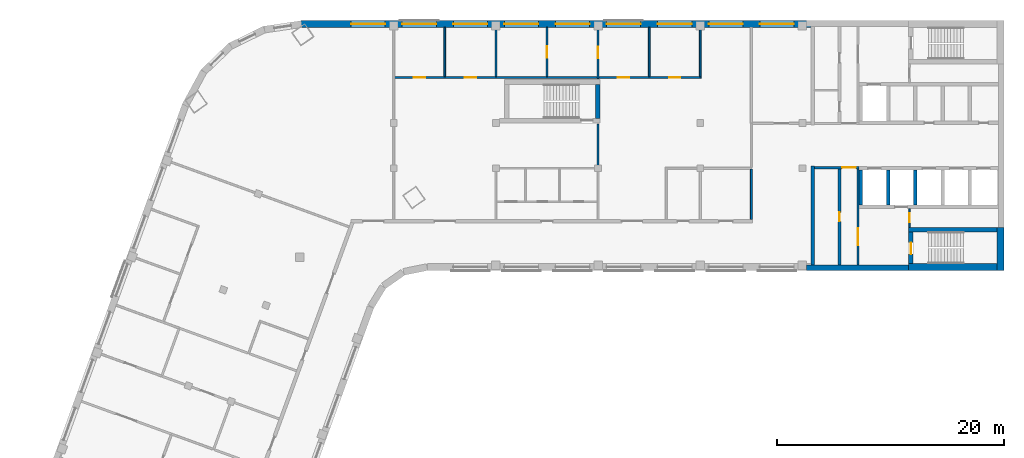
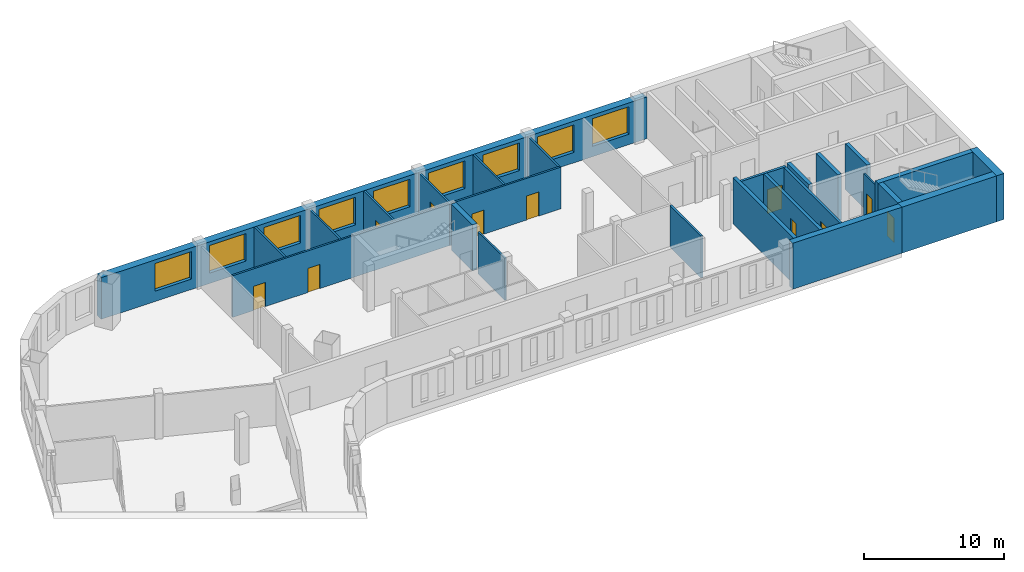
# One storey, part 5 of 8: 24 walls, 11 doors, 9 windows, 20 openings.
"""IFC4 building model written with IfcOpenShell, lengths in metres."""

from ifc_helpers import new_model, si_unit, direction, frame, frame_2d, origin, place, context, subcontext, project, spatial, rectangle, extrude, material, layer, layer_set, type_object, element, fill, save


model = new_model("IFC4")

# Units and contexts
model_context = context("Model", 3, precision=1e-05, world=origin(), true_north=direction((0.0, 1.0)))
body_context = subcontext(model_context, "Body", "Model", "MODEL_VIEW")
ifc_project = project(units=[si_unit("LENGTHUNIT", "METRE"), si_unit("AREAUNIT", "SQUARE_METRE"), si_unit("VOLUMEUNIT", "CUBIC_METRE"), si_unit("PLANEANGLEUNIT", "RADIAN"), si_unit("MASSUNIT", "GRAM", prefix="KILO")], contexts=[model_context])

# Site, building, storey
site_placement = place(None, origin())
site = spatial("IfcSite", under=ifc_project, at=site_placement, CompositionType="ELEMENT")
building_placement = place(site_placement, origin())
building = spatial("IfcBuilding", under=site, at=building_placement, Name="Skarvind Civic Tower", CompositionType="ELEMENT")
storey_placement = place(building_placement, frame((0.0, 0.0, 208.0)))
storey = spatial("IfcBuildingStorey", under=building, at=storey_placement, Name="L49", CompositionType="ELEMENT", Elevation=208.0)

# Wall
ifc_material_1 = material(Name="Acoustic gypsum board on steel studs", Category="steel")
ifc_layer_1 = layer(ifc_material_1, 0.175048828125)
ifc_layer_set_1 = layer_set([ifc_layer_1], Name="ACOUSTIC MEETING-ROOM PARTITION 175")
wall_type_1 = type_object("IfcWallType", Name="ACOUSTIC MEETING-ROOM PARTITION 175", PredefinedType="PARTITIONING", material=ifc_layer_set_1)
wall_1_placement = place(storey_placement, frame((85.75, 121.5, 0.0), z_axis=(0.0, 0.0, 1.0), x_axis=(0.0, 1.0, 0.0)))
element("IfcWall", 1, at=wall_1_placement, inside=storey, type_object=wall_type_1, Name="Partition 49.040", PredefinedType="PARTITIONING", context=body_context, shape_type="SweptSolid", body=[
    extrude(rectangle(XDim=4.427978515625, YDim=0.175048828125, at=frame_2d((2.2138671875, 0.0))), origin(), (0.0, 0.0, 1.0), 3.625),
])

# Wall, opening, door
ifc_material_2 = material(Name="Fire-rated masonry partition", Category="masonry")
ifc_layer_2 = layer(ifc_material_2, 0.199951171875)
ifc_layer_set_2 = layer_set([ifc_layer_2], Name="Core enclosure wall 200")
wall_type_2 = type_object("IfcWallType", Name="Core enclosure wall 200", PredefinedType="PARTITIONING", material=ifc_layer_set_2)
wall_2_placement = place(storey_placement, frame((95.25, 126.050048828125, 0.0), z_axis=(0.0, 0.0, 1.0), x_axis=(-1.0, 0.0, 0.0)))
wall_2 = element("IfcWall", 2, at=wall_2_placement, inside=storey, type_object=wall_type_2, Name="Core wall C1", PredefinedType="PARTITIONING", context=body_context, shape_type="SweptSolid", body=[
    extrude(rectangle(XDim=3.949951171875, YDim=0.199951171875, at=frame_2d((1.97509765625, 0.0))), origin(), (0.0, 0.0, 1.0), 3.625),
])
opening_1_placement = place(wall_2_placement, frame((0.300048828125, 0.0, 0.0)))
opening_1 = element("IfcOpeningElement", 3, at=opening_1_placement, cuts=wall_2, Name="Opening D-L49-C1-07", PredefinedType="OPENING", context=body_context, shape_type="SweptSolid", body=[
    extrude(rectangle(XDim=1.199951171875, YDim=2.10009765625, at=frame_2d((0.60009765625, 1.050048828125))), frame((0.0, 0.10986328125, 0.0), z_axis=(0.0, -1.0, 0.0), x_axis=(1.0, 0.0, 0.0)), (0.0, 0.0, 1.0), 0.219970703125),
])
ifc_material_3 = material(Name="Fire-rated steel door", Category="steel")
door_type_1 = type_object("IfcDoorType", Name="Core lobby door 1200", OperationType="NOTDEFINED", PredefinedType="DOOR", material=ifc_material_3)
door_1_placement = place(opening_1_placement, origin())
door_1 = element("IfcDoor", 4, at=door_1_placement, inside=storey, type_object=door_type_1, Name="Fire door", OperationType="DOUBLE_DOOR_SINGLE_SWING", OverallHeight=2.10009765625, OverallWidth=1.199951171875, PredefinedType="DOOR", context=body_context, shape_type="SweptSolid", body=[
    extrude(rectangle(XDim=1.199951171875, YDim=2.10009765625, at=frame_2d((0.60009765625, 1.050048828125))), frame((0.0, 0.02490234375, 0.0), z_axis=(0.0, -1.0, 0.0), x_axis=(1.0, 0.0, 0.0)), (0.0, 0.0, 1.0), 0.050048828125),
])
fill(opening_1, door_1)

wall_3_placement = place(storey_placement, frame((95.14990234375, 117.5, 0.0), z_axis=(0.0, 0.0, 1.0), x_axis=(0.0, 1.0, 0.0)))
wall_3 = element("IfcWall", 5, at=wall_3_placement, inside=storey, type_object=wall_type_2, Name="Core wall C1", PredefinedType="PARTITIONING", context=body_context, shape_type="SweptSolid", body=[
    extrude(rectangle(XDim=8.449951171875, YDim=0.199951171875, at=frame_2d((4.22509765625, 0.0))), origin(), (0.0, 0.0, 1.0), 3.625),
])
opening_2_placement = place(wall_3_placement, frame((1.72509765625, 0.0, 0.0)))
opening_2 = element("IfcOpeningElement", 6, at=opening_2_placement, cuts=wall_3, Name="Opening D-L49-C1-08", PredefinedType="OPENING", context=body_context, shape_type="SweptSolid", body=[
    extrude(rectangle(XDim=1.5, YDim=2.10009765625, at=frame_2d((0.75, 1.050048828125))), frame((0.0, 0.10986328125, 0.0), z_axis=(0.0, -1.0, 0.0), x_axis=(1.0, 0.0, 0.0)), (0.0, 0.0, 1.0), 0.219970703125),
])
door_type_2 = type_object("IfcDoorType", Name="Fire door 1500", OperationType="NOTDEFINED", PredefinedType="DOOR", material=ifc_material_3)
door_2_placement = place(opening_2_placement, origin())
door_2 = element("IfcDoor", 7, at=door_2_placement, inside=storey, type_object=door_type_2, Name="Fire door", OperationType="DOUBLE_DOOR_SINGLE_SWING", OverallHeight=2.10009765625, OverallWidth=1.5, PredefinedType="DOOR", context=body_context, shape_type="SweptSolid", body=[
    extrude(rectangle(XDim=1.5, YDim=2.10009765625, at=frame_2d((0.75, 1.050048828125))), frame((0.0, 0.02490234375, 0.0), z_axis=(0.0, -1.0, 0.0), x_axis=(1.0, 0.0, 0.0)), (0.0, 0.0, 1.0), 0.050048828125),
])
fill(opening_2, door_2)

# Walls
ifc_material_4 = material(Name="Concrete C60", Category="concrete")
ifc_layer_3 = layer(ifc_material_4, 0.300048828125)
ifc_layer_set_3 = layer_set([ifc_layer_3], Name="Core wall 300 C60")
wall_type_3 = type_object("IfcWallType", Name="Core wall 300 C60", PredefinedType="SHEAR", material=ifc_layer_set_3)
for number, where, z_axis, x_axis, name in (
    (8, (100.199951171875, 125.85009765625, 0.0), (0.0, 0.0, 1.0), (0.0, -1.0, 0.0), "Core wall C1 north lift row division 3 L49"),
    (9, (97.800048828125, 125.85009765625, 0.0), (0.0, 0.0, 1.0), (0.0, -1.0, 0.0), "Core wall C1 north lift row division 4 L49"),
    (10, (95.39990234375, 125.85009765625, 0.0), (0.0, 0.0, 1.0), (0.0, -1.0, 0.0), "Core wall C1 north lift row division 5 L49"),
):
    element("IfcWall", number, at=place(storey_placement, frame(where, z_axis=z_axis, x_axis=x_axis)), inside=storey, type_object=wall_type_3, Name=name, PredefinedType="SHEAR", context=body_context, shape_type="SweptSolid", body=[
        extrude(rectangle(XDim=3.10009765625, YDim=0.300048828125, at=frame_2d((1.550048828125, 0.0))), origin(), (0.0, 0.0, 1.0), 4.0),
    ])
wall_4_placement = place(storey_placement, frame((91.14990234375, 126.199951171875, 0.0), z_axis=(0.0, 0.0, 1.0), x_axis=(0.0, -1.0, 0.0)))
element("IfcWall", 11, at=wall_4_placement, inside=storey, type_object=wall_type_3, Name="Core wall C1 north inner face L49", PredefinedType="SHEAR", context=body_context, shape_type="SweptSolid", body=[
    extrude(rectangle(XDim=8.699951171875, YDim=0.300048828125, at=frame_2d((4.35009765625, 0.0))), origin(), (0.0, 0.0, 1.0), 4.0),
])
ifc_layer_4 = layer(ifc_material_4, 0.39990234375)
ifc_layer_set_4 = layer_set([ifc_layer_4], Name="Core wall 400 C60")
wall_type_4 = type_object("IfcWallType", Name="Core wall 400 C60", PredefinedType="SHEAR", material=ifc_layer_set_4)
wall_5_placement = place(storey_placement, frame((107.39990234375, 120.60009765625, 0.0), z_axis=(0.0, 0.0, 1.0), x_axis=(-1.0, 0.0, 0.0)))
element("IfcWall", 12, at=wall_5_placement, inside=storey, type_object=wall_type_4, Name="Core wall C1 north stair inner L49", PredefinedType="SHEAR", context=body_context, shape_type="SweptSolid", body=[
    extrude(rectangle(XDim=7.7998046875, YDim=0.39990234375, at=frame_2d((3.89990234375, 0.0))), origin(), (0.0, 0.0, 1.0), 4.0),
])

# Wall, opening, door
wall_6_placement = place(storey_placement, frame((99.800048828125, 120.39990234375, 0.0), z_axis=(0.0, 0.0, 1.0), x_axis=(0.0, -1.0, 0.0)))
wall_6 = element("IfcWall", 13, at=wall_6_placement, inside=storey, type_object=wall_type_4, Name="Core wall C1 north stair end L49", PredefinedType="SHEAR", context=body_context, shape_type="SweptSolid", body=[
    extrude(rectangle(XDim=2.7998046875, YDim=0.39990234375, at=frame_2d((1.39990234375, 0.0))), origin(), (0.0, 0.0, 1.0), 4.0),
])
opening_3_placement = place(wall_6_placement, frame((0.949951171875, 0.0, 0.0)))
opening_3 = element("IfcOpeningElement", 14, at=opening_3_placement, cuts=wall_6, Name="Opening D-L49-C1-09", PredefinedType="OPENING", context=body_context, shape_type="SweptSolid", body=[
    extrude(rectangle(XDim=1.0, YDim=2.10009765625, at=frame_2d((0.5, 1.050048828125))), frame((0.0, 0.2099609375, 0.0), z_axis=(0.0, -1.0, 0.0), x_axis=(1.0, 0.0, 0.0)), (0.0, 0.0, 1.0), 0.419921875),
])
door_type_3 = type_object("IfcDoorType", Name="Fire door 1000", OperationType="NOTDEFINED", PredefinedType="DOOR", material=ifc_material_3)
door_3_placement = place(opening_3_placement, origin())
door_3 = element("IfcDoor", 15, at=door_3_placement, inside=storey, type_object=door_type_3, Name="Fire door", OperationType="SINGLE_SWING_LEFT", OverallHeight=2.10009765625, OverallWidth=1.0, PredefinedType="DOOR", context=body_context, shape_type="SweptSolid", body=[
    extrude(rectangle(XDim=1.0, YDim=2.10009765625, at=frame_2d((0.5, 1.050048828125))), frame((0.0, 0.02490234375, 0.0), z_axis=(0.0, -1.0, 0.0), x_axis=(1.0, 0.0, 0.0)), (0.0, 0.0, 1.0), 0.050048828125),
])
fill(opening_3, door_3)

# Walls
wall_7_placement = place(storey_placement, frame((72.199951171875, 130.39990234375, 0.0), z_axis=(0.0, 0.0, 1.0), x_axis=(0.0, 1.0, 0.0)))
element("IfcWall", 16, at=wall_7_placement, inside=storey, type_object=wall_type_4, Name="Core wall CM end L49", PredefinedType="SHEAR", context=body_context, shape_type="SweptSolid", body=[
    extrude(rectangle(XDim=3.0, YDim=0.39990234375, at=frame_2d((1.5, 0.0))), origin(), (0.0, 0.0, 1.0), 4.0),
])
ifc_layer_5 = layer(ifc_material_4, 0.5)
ifc_layer_set_5 = layer_set([ifc_layer_5], Name="Core wall 500 C60")
wall_type_5 = type_object("IfcWallType", Name="Core wall 500 C60", PredefinedType="SHEAR", material=ifc_layer_set_5)
wall_8_placement = place(storey_placement, frame((99.60009765625, 117.25, 0.0), z_axis=(0.0, 0.0, 1.0), x_axis=(-1.0, 0.0, 0.0)))
element("IfcWall", 17, at=wall_8_placement, inside=storey, type_object=wall_type_5, Name="Core wall C1 north side L49", PredefinedType="SHEAR", context=body_context, shape_type="SweptSolid", body=[
    extrude(rectangle(XDim=8.97509765625, YDim=0.5, at=frame_2d((4.487548828125, 0.0))), origin(), (0.0, 0.0, 1.0), 4.0),
])
ifc_layer_6 = layer(ifc_material_4, 0.60009765625)
ifc_layer_set_6 = layer_set([ifc_layer_6], Name="Core wall 600 C60")
wall_type_6 = type_object("IfcWallType", Name="Core wall 600 C60", PredefinedType="SHEAR", material=ifc_layer_set_6)
wall_9_placement = place(storey_placement, frame((107.699951171875, 120.800048828125, 0.0), z_axis=(0.0, 0.0, 1.0), x_axis=(0.0, -1.0, 0.0)))
element("IfcWall", 18, at=wall_9_placement, inside=storey, type_object=wall_type_6, Name="Core wall C1 tip at the north stair L49", PredefinedType="SHEAR", context=body_context, shape_type="SweptSolid", body=[
    extrude(rectangle(XDim=3.800048828125, YDim=0.60009765625, at=frame_2d((1.89990234375, 0.0))), origin(), (0.0, 0.0, 1.0), 4.0),
])
wall_10_placement = place(storey_placement, frame((107.39990234375, 117.300048828125, 0.0), z_axis=(0.0, 0.0, 1.0), x_axis=(-1.0, 0.0, 0.0)))
element("IfcWall", 19, at=wall_10_placement, inside=storey, type_object=wall_type_6, Name="Core wall C1 north side at the stair L49", PredefinedType="SHEAR", context=body_context, shape_type="SweptSolid", body=[
    extrude(rectangle(XDim=7.7998046875, YDim=0.60009765625, at=frame_2d((3.89990234375, 0.0))), origin(), (0.0, 0.0, 1.0), 4.0),
])

# Wall, openings, doors
ifc_material_5 = material(Name="Plasterboard partition on steel studs", Category="steel")
ifc_layer_7 = layer(ifc_material_5, 0.14990234375)
ifc_layer_set_7 = layer_set([ifc_layer_7], Name="PARTITION 150")
wall_type_7 = type_object("IfcWallType", Name="PARTITION 150", PredefinedType="PARTITIONING", material=ifc_layer_set_7)
wall_11_placement = place(storey_placement, frame((81.324951171875, 134.0, 0.0), z_axis=(0.0, 0.0, 1.0), x_axis=(-1.0, 0.0, 0.0)))
wall_11 = element("IfcWall", 20, at=wall_11_placement, inside=storey, type_object=wall_type_7, Name="Partition 49.022", PredefinedType="PARTITIONING", context=body_context, shape_type="SweptSolid", body=[
    extrude(rectangle(XDim=27.0, YDim=0.14990234375, at=frame_2d((13.5, 0.0))), origin(), (0.0, 0.0, 1.0), 3.625),
])
opening_4_placement = place(wall_11_placement, frame((1.824951171875, 0.0, 0.0)))
opening_4 = element("IfcOpeningElement", 21, at=opening_4_placement, cuts=wall_11, Name="Opening L49-D004", PredefinedType="OPENING", context=body_context, shape_type="SweptSolid", body=[
    extrude(rectangle(XDim=1.0, YDim=2.10009765625, at=frame_2d((0.5, 1.050048828125))), frame((0.0, 0.0849609375, 0.0), z_axis=(0.0, -1.0, 0.0), x_axis=(1.0, 0.0, 0.0)), (0.0, 0.0, 1.0), 0.169921875),
])
opening_5_placement = place(wall_11_placement, frame((6.324951171875, 0.0, 0.0)))
opening_5 = element("IfcOpeningElement", 22, at=opening_5_placement, cuts=wall_11, Name="Opening L49-D005", PredefinedType="OPENING", context=body_context, shape_type="SweptSolid", body=[
    extrude(rectangle(XDim=1.0, YDim=2.10009765625, at=frame_2d((0.5, 1.050048828125))), frame((0.0, 0.0849609375, 0.0), z_axis=(0.0, -1.0, 0.0), x_axis=(1.0, 0.0, 0.0)), (0.0, 0.0, 1.0), 0.169921875),
])
opening_6_placement = place(wall_11_placement, frame((19.824951171875, 0.0, 0.0)))
opening_6 = element("IfcOpeningElement", 23, at=opening_6_placement, cuts=wall_11, Name="Opening L49-D011", PredefinedType="OPENING", context=body_context, shape_type="SweptSolid", body=[
    extrude(rectangle(XDim=1.0, YDim=2.10009765625, at=frame_2d((0.5, 1.050048828125))), frame((0.0, 0.0849609375, 0.0), z_axis=(0.0, -1.0, 0.0), x_axis=(1.0, 0.0, 0.0)), (0.0, 0.0, 1.0), 0.169921875),
])
opening_7_placement = place(wall_11_placement, frame((24.297607421875, 0.0, 0.0)))
opening_7 = element("IfcOpeningElement", 24, at=opening_7_placement, cuts=wall_11, Name="Opening L49-D012", PredefinedType="OPENING", context=body_context, shape_type="SweptSolid", body=[
    extrude(rectangle(XDim=1.0, YDim=2.10009765625, at=frame_2d((0.5, 1.050048828125))), frame((0.0, 0.0849609375, 0.0), z_axis=(0.0, -1.0, 0.0), x_axis=(1.0, 0.0, 0.0)), (0.0, 0.0, 1.0), 0.169921875),
])
ifc_material_6 = material(Name="Timber door leaf", Category="wood")
door_type_4 = type_object("IfcDoorType", Name="D1 1000x2100", OperationType="NOTDEFINED", PredefinedType="DOOR", material=ifc_material_6)
door_4_placement = place(opening_4_placement, origin())
door_4 = element("IfcDoor", 25, at=door_4_placement, inside=storey, type_object=door_type_4, Name="Door L49-D004", OperationType="SINGLE_SWING_LEFT", OverallHeight=2.10009765625, OverallWidth=1.0, PredefinedType="DOOR", context=body_context, shape_type="SweptSolid", body=[
    extrude(rectangle(XDim=1.0, YDim=2.10009765625, at=frame_2d((0.5, 1.050048828125))), frame((0.0, 0.02490234375, 0.0), z_axis=(0.0, -1.0, 0.0), x_axis=(1.0, 0.0, 0.0)), (0.0, 0.0, 1.0), 0.050048828125),
])
fill(opening_4, door_4)
door_5_placement = place(opening_5_placement, origin())
door_5 = element("IfcDoor", 26, at=door_5_placement, inside=storey, type_object=door_type_4, Name="Door L49-D005", OperationType="SINGLE_SWING_RIGHT", OverallHeight=2.10009765625, OverallWidth=1.0, PredefinedType="DOOR", context=body_context, shape_type="SweptSolid", body=[
    extrude(rectangle(XDim=1.0, YDim=2.10009765625, at=frame_2d((0.5, 1.050048828125))), frame((0.0, 0.02490234375, 0.0), z_axis=(0.0, -1.0, 0.0), x_axis=(1.0, 0.0, 0.0)), (0.0, 0.0, 1.0), 0.050048828125),
])
fill(opening_5, door_5)
door_6_placement = place(opening_6_placement, origin())
door_6 = element("IfcDoor", 27, at=door_6_placement, inside=storey, type_object=door_type_4, Name="Door L49-D011", OperationType="SINGLE_SWING_LEFT", OverallHeight=2.10009765625, OverallWidth=1.0, PredefinedType="DOOR", context=body_context, shape_type="SweptSolid", body=[
    extrude(rectangle(XDim=1.0, YDim=2.10009765625, at=frame_2d((0.5, 1.050048828125))), frame((0.0, 0.02490234375, 0.0), z_axis=(0.0, -1.0, 0.0), x_axis=(1.0, 0.0, 0.0)), (0.0, 0.0, 1.0), 0.050048828125),
])
fill(opening_6, door_6)
door_7_placement = place(opening_7_placement, origin())
door_7 = element("IfcDoor", 28, at=door_7_placement, inside=storey, type_object=door_type_4, Name="Door L49-D012", OperationType="SINGLE_SWING_LEFT", OverallHeight=2.10009765625, OverallWidth=1.0, PredefinedType="DOOR", context=body_context, shape_type="SweptSolid", body=[
    extrude(rectangle(XDim=1.0, YDim=2.10009765625, at=frame_2d((0.5, 1.050048828125))), frame((0.0, 0.02490234375, 0.0), z_axis=(0.0, -1.0, 0.0), x_axis=(1.0, 0.0, 0.0)), (0.0, 0.0, 1.0), 0.050048828125),
])
fill(opening_7, door_7)

# Walls
for number, where, z_axis, x_axis, name in (
    (29, (58.75, 134.074951171875, 0.0), (0.0, 0.0, 1.0), (0.0, 1.0, 0.0), "Partition 49.023"),
    (30, (63.25, 134.074951171875, 0.0), (0.0, 0.0, 1.0), (0.0, 1.0, 0.0), "Partition 49.027"),
):
    element("IfcWall", number, at=place(storey_placement, frame(where, z_axis=z_axis, x_axis=x_axis)), inside=storey, type_object=wall_type_7, Name=name, PredefinedType="PARTITIONING", context=body_context, shape_type="SweptSolid", body=[
        extrude(rectangle(XDim=4.324951171875, YDim=0.14990234375, at=frame_2d((2.16259765625, 0.0))), origin(), (0.0, 0.0, 1.0), 3.625),
    ])

# Wall, opening, door
wall_12_placement = place(storey_placement, frame((67.75, 134.074951171875, 0.0), z_axis=(0.0, 0.0, 1.0), x_axis=(0.0, 1.0, 0.0)))
wall_12 = element("IfcWall", 31, at=wall_12_placement, inside=storey, type_object=wall_type_7, Name="Partition 49.029", PredefinedType="PARTITIONING", context=body_context, shape_type="SweptSolid", body=[
    extrude(rectangle(XDim=4.324951171875, YDim=0.14990234375, at=frame_2d((2.16259765625, 0.0))), origin(), (0.0, 0.0, 1.0), 3.625),
])
opening_8_placement = place(wall_12_placement, frame((1.652587890625, 0.0, 0.0)))
opening_8 = element("IfcOpeningElement", 32, at=opening_8_placement, cuts=wall_12, Name="Opening L49-D025", PredefinedType="OPENING", context=body_context, shape_type="SweptSolid", body=[
    extrude(rectangle(XDim=1.0, YDim=2.10009765625, at=frame_2d((0.5, 1.050048828125))), frame((0.0, 0.0849609375, 0.0), z_axis=(0.0, -1.0, 0.0), x_axis=(1.0, 0.0, 0.0)), (0.0, 0.0, 1.0), 0.169921875),
])
door_8_placement = place(opening_8_placement, origin())
door_8 = element("IfcDoor", 33, at=door_8_placement, inside=storey, type_object=door_type_4, Name="Door L49-D025", OperationType="SINGLE_SWING_LEFT", OverallHeight=2.10009765625, OverallWidth=1.0, PredefinedType="DOOR", context=body_context, shape_type="SweptSolid", body=[
    extrude(rectangle(XDim=1.0, YDim=2.10009765625, at=frame_2d((0.5, 1.050048828125))), frame((0.0, 0.02490234375, 0.0), z_axis=(0.0, -1.0, 0.0), x_axis=(1.0, 0.0, 0.0)), (0.0, 0.0, 1.0), 0.050048828125),
])
fill(opening_8, door_8)

# Wall
wall_13_placement = place(storey_placement, frame((72.25, 126.06005859375, 0.0), z_axis=(0.0, 0.0, 1.0), x_axis=(0.0, 1.0, 0.0)))
element("IfcWall", 34, at=wall_13_placement, inside=storey, type_object=wall_type_7, Name="Partition 49.032", PredefinedType="PARTITIONING", context=body_context, shape_type="SweptSolid", body=[
    extrude(rectangle(XDim=3.83984375, YDim=0.14990234375, at=frame_2d((1.919921875, 0.0))), origin(), (0.0, 0.0, 1.0), 3.625),
])

# Wall, opening, door
wall_14_placement = place(storey_placement, frame((72.25, 133.89990234375, 0.0), z_axis=(0.0, 0.0, 1.0), x_axis=(0.0, 1.0, 0.0)))
wall_14 = element("IfcWall", 35, at=wall_14_placement, inside=storey, type_object=wall_type_7, Name="Partition 49.033", PredefinedType="PARTITIONING", context=body_context, shape_type="SweptSolid", body=[
    extrude(rectangle(XDim=4.5, YDim=0.14990234375, at=frame_2d((2.25, 0.0))), origin(), (0.0, 0.0, 1.0), 3.625),
])
opening_9_placement = place(wall_14_placement, frame((1.800048828125, 0.0, 0.0)))
opening_9 = element("IfcOpeningElement", 36, at=opening_9_placement, cuts=wall_14, Name="Opening L49-D024", PredefinedType="OPENING", context=body_context, shape_type="SweptSolid", body=[
    extrude(rectangle(XDim=1.0, YDim=2.10009765625, at=frame_2d((0.5, 1.050048828125))), frame((0.0, 0.0849609375, 0.0), z_axis=(0.0, -1.0, 0.0), x_axis=(1.0, 0.0, 0.0)), (0.0, 0.0, 1.0), 0.169921875),
])
door_9_placement = place(opening_9_placement, origin())
door_9 = element("IfcDoor", 37, at=door_9_placement, inside=storey, type_object=door_type_4, Name="Door L49-D024", OperationType="SINGLE_SWING_LEFT", OverallHeight=2.10009765625, OverallWidth=1.0, PredefinedType="DOOR", context=body_context, shape_type="SweptSolid", body=[
    extrude(rectangle(XDim=1.0, YDim=2.10009765625, at=frame_2d((0.5, 1.050048828125))), frame((0.0, 0.02490234375, 0.0), z_axis=(0.0, -1.0, 0.0), x_axis=(1.0, 0.0, 0.0)), (0.0, 0.0, 1.0), 0.050048828125),
])
fill(opening_9, door_9)

# Walls
for number, where, z_axis, x_axis, name in (
    (38, (76.75, 134.074951171875, 0.0), (0.0, 0.0, 1.0), (0.0, 1.0, 0.0), "Partition 49.034"),
    (39, (81.25, 138.39990234375, 0.0), (0.0, 0.0, 1.0), (0.0, -1.0, 0.0), "Partition 49.039"),
):
    element("IfcWall", number, at=place(storey_placement, frame(where, z_axis=z_axis, x_axis=x_axis)), inside=storey, type_object=wall_type_7, Name=name, PredefinedType="PARTITIONING", context=body_context, shape_type="SweptSolid", body=[
        extrude(rectangle(XDim=4.324951171875, YDim=0.14990234375, at=frame_2d((2.16259765625, 0.0))), origin(), (0.0, 0.0, 1.0), 3.625),
    ])

# Wall, opening, door
ifc_layer_8 = layer(ifc_material_2, 0.125)
ifc_layer_set_8 = layer_set([ifc_layer_8], Name="Riser wall 125")
wall_type_8 = type_object("IfcWallType", Name="Riser wall 125", PredefinedType="PARTITIONING", material=ifc_layer_set_8)
wall_15_placement = place(storey_placement, frame((99.66259765625, 120.800048828125, 0.0), z_axis=(0.0, 0.0, 1.0), x_axis=(0.0, 1.0, 0.0)))
wall_15 = element("IfcWall", 40, at=wall_15_placement, inside=storey, type_object=wall_type_8, Name="Core wall C1", PredefinedType="PARTITIONING", context=body_context, shape_type="SweptSolid", body=[
    extrude(rectangle(XDim=1.64990234375, YDim=0.125, at=frame_2d((0.824951171875, 0.0))), origin(), (0.0, 0.0, 1.0), 3.625),
])
opening_10_placement = place(wall_15_placement, frame((0.425048828125, 0.0, 0.0)))
opening_10 = element("IfcOpeningElement", 41, at=opening_10_placement, cuts=wall_15, Name="Opening D-L49-C1-10", PredefinedType="OPENING", context=body_context, shape_type="SweptSolid", body=[
    extrude(rectangle(XDim=0.800048828125, YDim=2.10009765625, at=frame_2d((0.39990234375, 1.050048828125))), frame((0.0, 0.072509765625, 0.0), z_axis=(0.0, -1.0, 0.0), x_axis=(1.0, 0.0, 0.0)), (0.0, 0.0, 1.0), 0.14501953125),
])
door_type_5 = type_object("IfcDoorType", Name="Core riser door 800", OperationType="NOTDEFINED", PredefinedType="DOOR", material=ifc_material_3)
door_10_placement = place(opening_10_placement, origin())
door_10 = element("IfcDoor", 42, at=door_10_placement, inside=storey, type_object=door_type_5, Name="Riser door", OperationType="SINGLE_SWING_RIGHT", OverallHeight=2.10009765625, OverallWidth=0.800048828125, PredefinedType="DOOR", context=body_context, shape_type="SweptSolid", body=[
    extrude(rectangle(XDim=0.800048828125, YDim=2.10009765625, at=frame_2d((0.39990234375, 1.050048828125))), frame((0.0, 0.02490234375, 0.0), z_axis=(0.0, -1.0, 0.0), x_axis=(1.0, 0.0, 0.0)), (0.0, 0.0, 1.0), 0.050048828125),
])
fill(opening_10, door_10)

ifc_layer_9 = layer(ifc_material_2, 0.25)
ifc_layer_set_9 = layer_set([ifc_layer_9], Name="Service block wall 250")
wall_type_9 = type_object("IfcWallType", Name="Service block wall 250", PredefinedType="PARTITIONING", material=ifc_layer_set_9)
wall_16_placement = place(storey_placement, frame((93.52490234375, 117.5, 0.0), z_axis=(0.0, 0.0, 1.0), x_axis=(0.0, 1.0, 0.0)))
wall_16 = element("IfcWall", 43, at=wall_16_placement, inside=storey, type_object=wall_type_9, Name="Core wall C1", PredefinedType="PARTITIONING", context=body_context, shape_type="SweptSolid", body=[
    extrude(rectangle(XDim=8.449951171875, YDim=0.25, at=frame_2d((4.22509765625, 0.0))), origin(), (0.0, 0.0, 1.0), 3.625),
])
opening_11_placement = place(wall_16_placement, frame((3.824951171875, 0.0, 0.0)))
opening_11 = element("IfcOpeningElement", 44, at=opening_11_placement, cuts=wall_16, Name="Opening D-L49-C1-11", PredefinedType="OPENING", context=body_context, shape_type="SweptSolid", body=[
    extrude(rectangle(XDim=0.800048828125, YDim=2.10009765625, at=frame_2d((0.39990234375, 1.050048828125))), frame((0.0, 0.135009765625, 0.0), z_axis=(0.0, -1.0, 0.0), x_axis=(1.0, 0.0, 0.0)), (0.0, 0.0, 1.0), 0.27001953125),
])
door_11_placement = place(opening_11_placement, origin())
door_11 = element("IfcDoor", 45, at=door_11_placement, inside=storey, type_object=door_type_5, Name="Riser door", OperationType="SINGLE_SWING_LEFT", OverallHeight=2.10009765625, OverallWidth=0.800048828125, PredefinedType="DOOR", context=body_context, shape_type="SweptSolid", body=[
    extrude(rectangle(XDim=0.800048828125, YDim=2.10009765625, at=frame_2d((0.39990234375, 1.050048828125))), frame((0.0, 0.02490234375, 0.0), z_axis=(0.0, -1.0, 0.0), x_axis=(1.0, 0.0, 0.0)), (0.0, 0.0, 1.0), 0.050048828125),
])
fill(opening_11, door_11)

# Wall, openings, windows
ifc_material_7 = material(Name="Limestone masonry cladding on insulated backing", Category="masonry")
ifc_layer_10 = layer(ifc_material_7, 0.60009765625)
ifc_layer_set_10 = layer_set([ifc_layer_10], Name="WX1 STONE FACADE WALL 600")
wall_type_10 = type_object("IfcWallType", Name="WX1 STONE FACADE WALL 600", PredefinedType="SOLIDWALL", material=ifc_layer_set_10)
wall_17_placement = place(storey_placement, frame((46.095458984375, 138.699951171875, 0.0), z_axis=(0.0, 0.0, 1.0), x_axis=(1.0, 0.0, 0.0)))
wall_17 = element("IfcWall", 46, at=wall_17_placement, inside=storey, type_object=wall_type_10, Name="STONE FACADE WALL", PredefinedType="SOLIDWALL", context=body_context, shape_type="SweptSolid", body=[
    extrude(rectangle(XDim=44.884521484375, YDim=0.60009765625, at=frame_2d((22.4423828125, 0.0))), origin(), (0.0, 0.0, 1.0), 3.625),
])
opening_12_placement = place(wall_17_placement, frame((4.404541015625, 0.0, 0.89990234375)))
opening_12 = element("IfcOpeningElement", 47, at=opening_12_placement, cuts=wall_17, Name="Opening WN1", PredefinedType="OPENING", context=body_context, shape_type="SweptSolid", body=[
    extrude(rectangle(XDim=3.0, YDim=2.39990234375, at=frame_2d((1.5, 1.199951171875))), frame((0.0, 0.31005859375, 0.0), z_axis=(0.0, -1.0, 0.0), x_axis=(1.0, 0.0, 0.0)), (0.0, 0.0, 1.0), 0.6201171875),
])
opening_13_placement = place(wall_17_placement, frame((8.904541015625, 0.0, 0.89990234375)))
opening_13 = element("IfcOpeningElement", 48, at=opening_13_placement, cuts=wall_17, Name="Opening WN1", PredefinedType="OPENING", context=body_context, shape_type="SweptSolid", body=[
    extrude(rectangle(XDim=3.0, YDim=2.39990234375, at=frame_2d((1.5, 1.199951171875))), frame((0.0, 0.31005859375, 0.0), z_axis=(0.0, -1.0, 0.0), x_axis=(1.0, 0.0, 0.0)), (0.0, 0.0, 1.0), 0.6201171875),
])
opening_14_placement = place(wall_17_placement, frame((13.404541015625, 0.0, 0.89990234375)))
opening_14 = element("IfcOpeningElement", 49, at=opening_14_placement, cuts=wall_17, Name="Opening WN1", PredefinedType="OPENING", context=body_context, shape_type="SweptSolid", body=[
    extrude(rectangle(XDim=3.0, YDim=2.39990234375, at=frame_2d((1.5, 1.199951171875))), frame((0.0, 0.31005859375, 0.0), z_axis=(0.0, -1.0, 0.0), x_axis=(1.0, 0.0, 0.0)), (0.0, 0.0, 1.0), 0.6201171875),
])
opening_15_placement = place(wall_17_placement, frame((17.904541015625, 0.0, 0.89990234375)))
opening_15 = element("IfcOpeningElement", 50, at=opening_15_placement, cuts=wall_17, Name="Opening WN1", PredefinedType="OPENING", context=body_context, shape_type="SweptSolid", body=[
    extrude(rectangle(XDim=3.0, YDim=2.39990234375, at=frame_2d((1.5, 1.199951171875))), frame((0.0, 0.31005859375, 0.0), z_axis=(0.0, -1.0, 0.0), x_axis=(1.0, 0.0, 0.0)), (0.0, 0.0, 1.0), 0.6201171875),
])
opening_16_placement = place(wall_17_placement, frame((22.404541015625, 0.0, 0.89990234375)))
opening_16 = element("IfcOpeningElement", 51, at=opening_16_placement, cuts=wall_17, Name="Opening WN1", PredefinedType="OPENING", context=body_context, shape_type="SweptSolid", body=[
    extrude(rectangle(XDim=3.0, YDim=2.39990234375, at=frame_2d((1.5, 1.199951171875))), frame((0.0, 0.31005859375, 0.0), z_axis=(0.0, -1.0, 0.0), x_axis=(1.0, 0.0, 0.0)), (0.0, 0.0, 1.0), 0.6201171875),
])
opening_17_placement = place(wall_17_placement, frame((26.904541015625, 0.0, 0.89990234375)))
opening_17 = element("IfcOpeningElement", 52, at=opening_17_placement, cuts=wall_17, Name="Opening WN1", PredefinedType="OPENING", context=body_context, shape_type="SweptSolid", body=[
    extrude(rectangle(XDim=3.0, YDim=2.39990234375, at=frame_2d((1.5, 1.199951171875))), frame((0.0, 0.31005859375, 0.0), z_axis=(0.0, -1.0, 0.0), x_axis=(1.0, 0.0, 0.0)), (0.0, 0.0, 1.0), 0.6201171875),
])
opening_18_placement = place(wall_17_placement, frame((31.404541015625, 0.0, 0.89990234375)))
opening_18 = element("IfcOpeningElement", 53, at=opening_18_placement, cuts=wall_17, Name="Opening WN1", PredefinedType="OPENING", context=body_context, shape_type="SweptSolid", body=[
    extrude(rectangle(XDim=3.0, YDim=2.39990234375, at=frame_2d((1.5, 1.199951171875))), frame((0.0, 0.31005859375, 0.0), z_axis=(0.0, -1.0, 0.0), x_axis=(1.0, 0.0, 0.0)), (0.0, 0.0, 1.0), 0.6201171875),
])
opening_19_placement = place(wall_17_placement, frame((35.904541015625, 0.0, 0.89990234375)))
opening_19 = element("IfcOpeningElement", 54, at=opening_19_placement, cuts=wall_17, Name="Opening WN1", PredefinedType="OPENING", context=body_context, shape_type="SweptSolid", body=[
    extrude(rectangle(XDim=3.0, YDim=2.39990234375, at=frame_2d((1.5, 1.199951171875))), frame((0.0, 0.31005859375, 0.0), z_axis=(0.0, -1.0, 0.0), x_axis=(1.0, 0.0, 0.0)), (0.0, 0.0, 1.0), 0.6201171875),
])
opening_20_placement = place(wall_17_placement, frame((40.404541015625, 0.0, 0.89990234375)))
opening_20 = element("IfcOpeningElement", 55, at=opening_20_placement, cuts=wall_17, Name="Opening WN1", PredefinedType="OPENING", context=body_context, shape_type="SweptSolid", body=[
    extrude(rectangle(XDim=3.0, YDim=2.39990234375, at=frame_2d((1.5, 1.199951171875))), frame((0.0, 0.31005859375, 0.0), z_axis=(0.0, -1.0, 0.0), x_axis=(1.0, 0.0, 0.0)), (0.0, 0.0, 1.0), 0.6201171875),
])
ifc_material_8 = material(Name="Timber frame, double glazing, timber-lined reveal", Category="wood")
window_type = type_object("IfcWindowType", Name="WN1 PUNCHED STONE WINDOW 3000 x 2400", PartitioningType="SINGLE_PANEL", PredefinedType="WINDOW", material=ifc_material_8)
window_1_placement = place(opening_12_placement, origin())
window_1 = element("IfcWindow", 56, at=window_1_placement, inside=storey, type_object=window_type, Name="WN1 WINDOW", OverallHeight=2.39990234375, OverallWidth=3.0, PartitioningType="SINGLE_PANEL", PredefinedType="WINDOW", context=body_context, shape_type="SweptSolid", body=[
    extrude(rectangle(XDim=3.0, YDim=2.39990234375, at=frame_2d((1.5, 1.199951171875))), frame((0.0, 0.030029296875, 0.0), z_axis=(0.0, -1.0, 0.0), x_axis=(1.0, 0.0, 0.0)), (0.0, 0.0, 1.0), 0.06005859375),
])
fill(opening_12, window_1)
window_2_placement = place(opening_13_placement, origin())
window_2 = element("IfcWindow", 57, at=window_2_placement, inside=storey, type_object=window_type, Name="WN1 WINDOW", OverallHeight=2.39990234375, OverallWidth=3.0, PartitioningType="SINGLE_PANEL", PredefinedType="WINDOW", context=body_context, shape_type="SweptSolid", body=[
    extrude(rectangle(XDim=3.0, YDim=2.39990234375, at=frame_2d((1.5, 1.199951171875))), frame((0.0, 0.030029296875, 0.0), z_axis=(0.0, -1.0, 0.0), x_axis=(1.0, 0.0, 0.0)), (0.0, 0.0, 1.0), 0.06005859375),
])
fill(opening_13, window_2)
window_3_placement = place(opening_14_placement, origin())
window_3 = element("IfcWindow", 58, at=window_3_placement, inside=storey, type_object=window_type, Name="WN1 WINDOW", OverallHeight=2.39990234375, OverallWidth=3.0, PartitioningType="SINGLE_PANEL", PredefinedType="WINDOW", context=body_context, shape_type="SweptSolid", body=[
    extrude(rectangle(XDim=3.0, YDim=2.39990234375, at=frame_2d((1.5, 1.199951171875))), frame((0.0, 0.030029296875, 0.0), z_axis=(0.0, -1.0, 0.0), x_axis=(1.0, 0.0, 0.0)), (0.0, 0.0, 1.0), 0.06005859375),
])
fill(opening_14, window_3)
window_4_placement = place(opening_15_placement, origin())
window_4 = element("IfcWindow", 59, at=window_4_placement, inside=storey, type_object=window_type, Name="WN1 WINDOW", OverallHeight=2.39990234375, OverallWidth=3.0, PartitioningType="SINGLE_PANEL", PredefinedType="WINDOW", context=body_context, shape_type="SweptSolid", body=[
    extrude(rectangle(XDim=3.0, YDim=2.39990234375, at=frame_2d((1.5, 1.199951171875))), frame((0.0, 0.030029296875, 0.0), z_axis=(0.0, -1.0, 0.0), x_axis=(1.0, 0.0, 0.0)), (0.0, 0.0, 1.0), 0.06005859375),
])
fill(opening_15, window_4)
window_5_placement = place(opening_16_placement, origin())
window_5 = element("IfcWindow", 60, at=window_5_placement, inside=storey, type_object=window_type, Name="WN1 WINDOW", OverallHeight=2.39990234375, OverallWidth=3.0, PartitioningType="SINGLE_PANEL", PredefinedType="WINDOW", context=body_context, shape_type="SweptSolid", body=[
    extrude(rectangle(XDim=3.0, YDim=2.39990234375, at=frame_2d((1.5, 1.199951171875))), frame((0.0, 0.030029296875, 0.0), z_axis=(0.0, -1.0, 0.0), x_axis=(1.0, 0.0, 0.0)), (0.0, 0.0, 1.0), 0.06005859375),
])
fill(opening_16, window_5)
window_6_placement = place(opening_17_placement, origin())
window_6 = element("IfcWindow", 61, at=window_6_placement, inside=storey, type_object=window_type, Name="WN1 WINDOW", OverallHeight=2.39990234375, OverallWidth=3.0, PartitioningType="SINGLE_PANEL", PredefinedType="WINDOW", context=body_context, shape_type="SweptSolid", body=[
    extrude(rectangle(XDim=3.0, YDim=2.39990234375, at=frame_2d((1.5, 1.199951171875))), frame((0.0, 0.030029296875, 0.0), z_axis=(0.0, -1.0, 0.0), x_axis=(1.0, 0.0, 0.0)), (0.0, 0.0, 1.0), 0.06005859375),
])
fill(opening_17, window_6)
window_7_placement = place(opening_18_placement, origin())
window_7 = element("IfcWindow", 62, at=window_7_placement, inside=storey, type_object=window_type, Name="WN1 WINDOW", OverallHeight=2.39990234375, OverallWidth=3.0, PartitioningType="SINGLE_PANEL", PredefinedType="WINDOW", context=body_context, shape_type="SweptSolid", body=[
    extrude(rectangle(XDim=3.0, YDim=2.39990234375, at=frame_2d((1.5, 1.199951171875))), frame((0.0, 0.030029296875, 0.0), z_axis=(0.0, -1.0, 0.0), x_axis=(1.0, 0.0, 0.0)), (0.0, 0.0, 1.0), 0.06005859375),
])
fill(opening_18, window_7)
window_8_placement = place(opening_19_placement, origin())
window_8 = element("IfcWindow", 63, at=window_8_placement, inside=storey, type_object=window_type, Name="WN1 WINDOW", OverallHeight=2.39990234375, OverallWidth=3.0, PartitioningType="SINGLE_PANEL", PredefinedType="WINDOW", context=body_context, shape_type="SweptSolid", body=[
    extrude(rectangle(XDim=3.0, YDim=2.39990234375, at=frame_2d((1.5, 1.199951171875))), frame((0.0, 0.030029296875, 0.0), z_axis=(0.0, -1.0, 0.0), x_axis=(1.0, 0.0, 0.0)), (0.0, 0.0, 1.0), 0.06005859375),
])
fill(opening_19, window_8)
window_9_placement = place(opening_20_placement, origin())
window_9 = element("IfcWindow", 64, at=window_9_placement, inside=storey, type_object=window_type, Name="WN1 WINDOW", OverallHeight=2.39990234375, OverallWidth=3.0, PartitioningType="SINGLE_PANEL", PredefinedType="WINDOW", context=body_context, shape_type="SweptSolid", body=[
    extrude(rectangle(XDim=3.0, YDim=2.39990234375, at=frame_2d((1.5, 1.199951171875))), frame((0.0, 0.030029296875, 0.0), z_axis=(0.0, -1.0, 0.0), x_axis=(1.0, 0.0, 0.0)), (0.0, 0.0, 1.0), 0.06005859375),
])
fill(opening_20, window_9)

save(model, "model.ifc")
